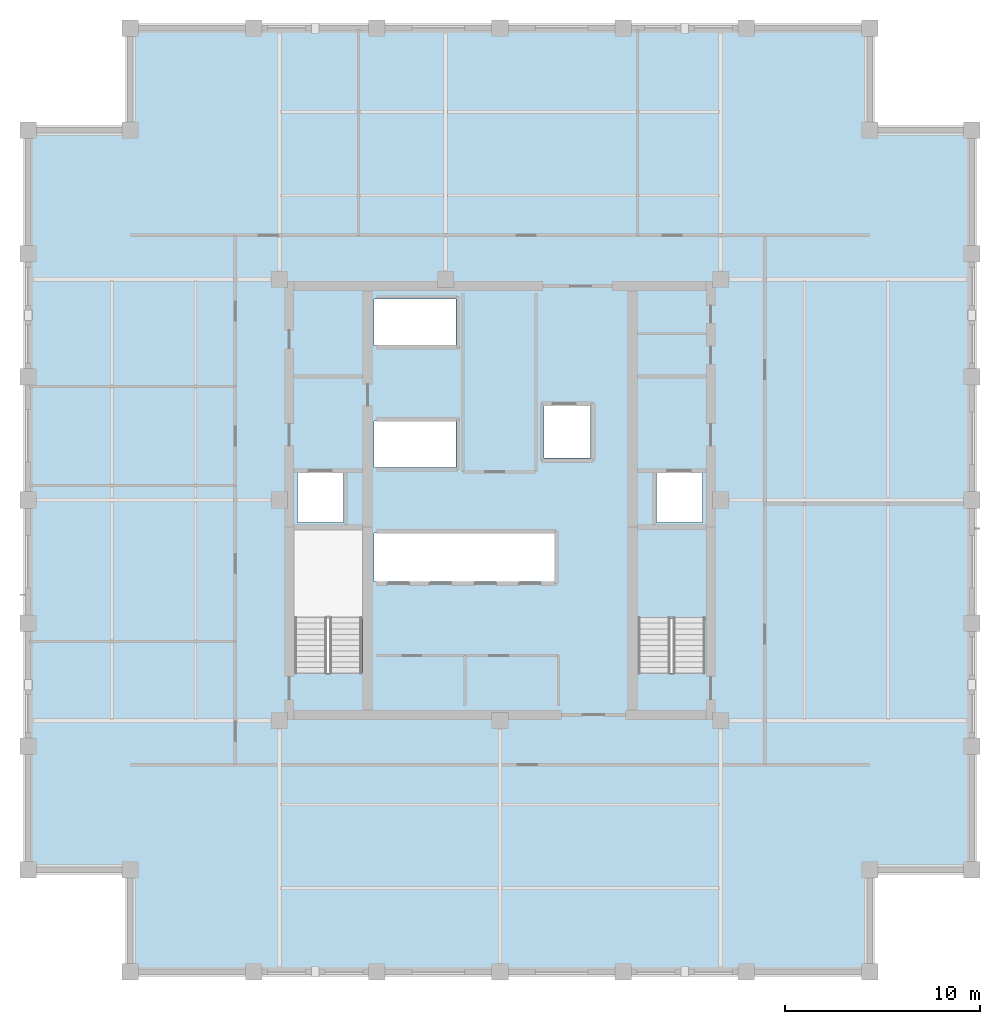
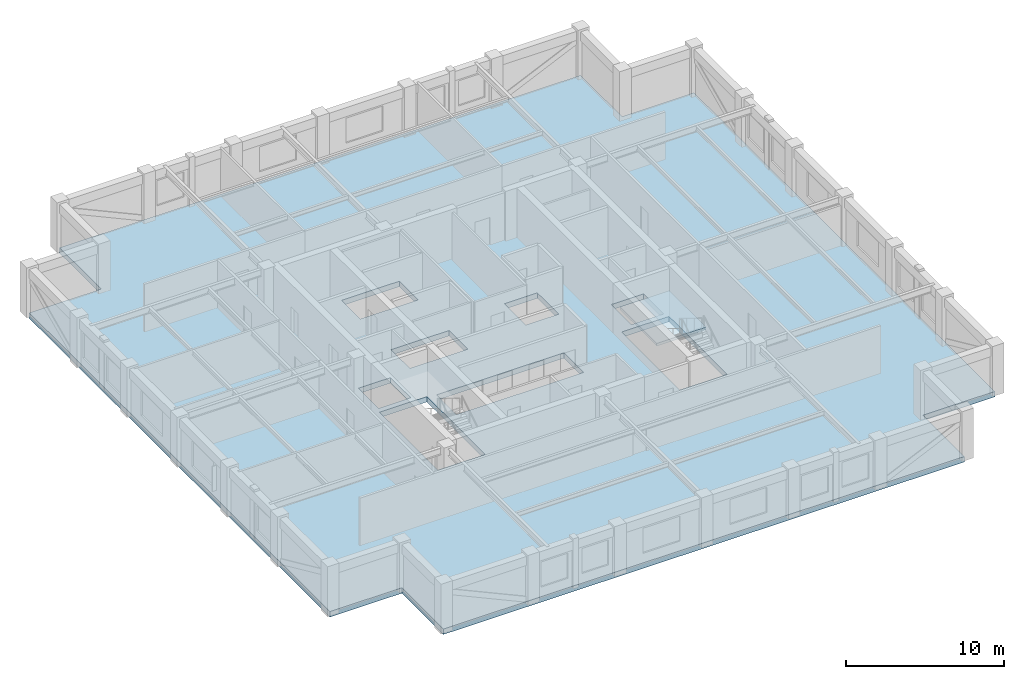
# One storey, part 3 of 9: 2 slabs, 1 element without a shape of its own.
"""IFC4 building model written with IfcOpenShell, lengths in metres."""

import ifcopenshell
import ifcopenshell.guid

model = None  # the IFC model being written
_history = None  # IfcOwnerHistory: only IFC2X3 demands one
_inside = {}  # id of a spatial element -> (the spatial element, [elements in it])
_under = {}  # id of a project, library or spatial element -> (it, [spatial elements below it])
_declared = {}  # id of a project -> (the project, [libraries it declares])
_typed = {}  # id of a type object -> (the type object, [elements of that type])
_made_of = {}  # id of a material, layer set ... -> (it, [elements and type objects made of it])


def new_model(schema):
    """Start an empty IFC model of exactly this schema.

    Asked for "IFC4X3", IfcOpenShell would pick the latest addendum, in which some entities
    have other attributes; the version numbers below select the first issue.
    IFC2X3 requires an IfcOwnerHistory on every rooted entity: one is made here for all.
    """
    global model, _history
    if schema == "IFC4X3":
        model = ifcopenshell.file(schema_version=(4, 3, 0, 0))
    else:
        model = ifcopenshell.file(schema=schema)
    _inside.clear()
    _under.clear()
    _declared.clear()
    _typed.clear()
    _made_of.clear()
    _history = None
    if model.schema == "IFC2X3":
        org = make("IfcOrganization", Name="unknown")
        user = make(
            "IfcPersonAndOrganization",
            ThePerson=make("IfcPerson", FamilyName="unknown"),
            TheOrganization=org,
        )
        app = make(
            "IfcApplication",
            ApplicationDeveloper=org,
            Version="unknown",
            ApplicationFullName="unknown",
            ApplicationIdentifier="unknown",
        )
        _history = make(
            "IfcOwnerHistory",
            OwningUser=user,
            OwningApplication=app,
            ChangeAction="ADDED",
            CreationDate=0,
        )
    return model


def make(cls, **values):
    """One entity of the class cls with the attributes given. An attribute that is None is left unset."""
    return model.create_entity(
        cls, **{name: value for name, value in values.items() if value is not None}
    )


def rooted(cls, **values):
    """An entity with a GlobalId (a new one), such as an element, a storey or a relation."""
    return make(cls, GlobalId=ifcopenshell.guid.new(), OwnerHistory=_history, **values)


def si_unit(unit_type, name, prefix=None):
    """IfcSIUnit, for example si_unit("LENGTHUNIT", "METRE", prefix="MILLI")."""
    return make("IfcSIUnit", UnitType=unit_type, Prefix=prefix, Name=name)


def assignment(units):
    """IfcUnitAssignment: the units of a project."""
    return None if units is None else make("IfcUnitAssignment", Units=units)


def point(xyz):
    """IfcCartesianPoint."""
    return None if xyz is None else make("IfcCartesianPoint", Coordinates=xyz)


def direction(xyz):
    """IfcDirection."""
    return None if xyz is None else make("IfcDirection", DirectionRatios=xyz)


def frame(location, z_axis=None, x_axis=None):
    """IfcAxis2Placement3D, a coordinate frame: its origin and axes. An axis left out is left unset."""
    return make(
        "IfcAxis2Placement3D",
        Location=point(location),
        Axis=direction(z_axis),
        RefDirection=direction(x_axis),
    )


def origin():
    """The frame at (0, 0, 0) with its axes left unset."""
    return frame((0.0, 0.0, 0.0))


def place(relative_to, where):
    """IfcLocalPlacement: puts the frame where relative to a parent placement (None: the world)."""
    return make(
        "IfcLocalPlacement", PlacementRelTo=relative_to, RelativePlacement=where
    )


def context(
    kind, dimensions, precision=None, world=None, true_north=None, identifier=None
):
    """IfcGeometricRepresentationContext, for example the 3D "Model" context."""
    return make(
        "IfcGeometricRepresentationContext",
        ContextIdentifier=identifier,
        ContextType=kind,
        CoordinateSpaceDimension=dimensions,
        Precision=precision,
        WorldCoordinateSystem=world,
        TrueNorth=true_north,
    )


def subcontext(parent, identifier, kind, view, scale=None):
    """IfcGeometricRepresentationSubContext, for example "Body" below "Model"."""
    return make(
        "IfcGeometricRepresentationSubContext",
        ContextIdentifier=identifier,
        ContextType=kind,
        ParentContext=parent,
        TargetScale=scale,
        TargetView=view,
    )


def project(units=None, contexts=None):
    """IfcProject with its units and contexts."""
    return rooted(
        "IfcProject",
        Name="project",
        RepresentationContexts=contexts,
        UnitsInContext=assignment(units),
    )


def spatial(cls, under=None, at=None, **own):
    """A site, building, storey or space (cls), placed at a placement, below another one or the project."""
    s = rooted(cls, ObjectPlacement=at, **own)
    if under is not None:
        _under.setdefault(under.id(), (under, []))[1].append(s)
    return s


def polyline(points):
    """IfcPolyline through the points."""
    return make("IfcPolyline", Points=[point(p) for p in points])


def outline(outer, holes=None, kind="AREA"):
    """IfcArbitraryClosedProfileDef: a profile drawn as a closed curve; with holes, ...WithVoids."""
    if holes is None:
        return make("IfcArbitraryClosedProfileDef", ProfileType=kind, OuterCurve=outer)
    return make(
        "IfcArbitraryProfileDefWithVoids",
        ProfileType=kind,
        OuterCurve=outer,
        InnerCurves=holes,
    )


def extrude(swept, where, along, depth):
    """IfcExtrudedAreaSolid: the profile swept, set in the frame where, extruded along a direction by depth."""
    return make(
        "IfcExtrudedAreaSolid",
        SweptArea=swept,
        Position=where,
        ExtrudedDirection=direction(along),
        Depth=depth,
    )


def shape(context_of_items, identifier, shape_type, items):
    """IfcShapeRepresentation: the items that make up one representation, for example the "Body"."""
    return make(
        "IfcShapeRepresentation",
        ContextOfItems=context_of_items,
        RepresentationIdentifier=identifier,
        RepresentationType=shape_type,
        Items=items,
    )


def material(Name=None, Category=None):
    """IfcMaterial."""
    return make("IfcMaterial", Name=Name, Category=Category)


def layer(
    of_material, thickness, ventilated=None, Name=None, Category=None, Priority=None
):
    """IfcMaterialLayer: one layer of a wall or slab, of a material (None: an air gap)."""
    return make(
        "IfcMaterialLayer",
        Material=of_material,
        LayerThickness=thickness,
        IsVentilated=ventilated,
        Name=Name,
        Category=Category,
        Priority=Priority,
    )


def layer_set(layers, Name=None):
    """IfcMaterialLayerSet."""
    return make("IfcMaterialLayerSet", MaterialLayers=layers, LayerSetName=Name)


def made_of(thing, what):
    """Note that an element or type object is made of a material, layer set ...; save() writes the relation."""
    if what is not None:
        _made_of.setdefault(what.id(), (what, []))[1].append(thing)
    return thing


def type_object(cls, material=None, **own):
    """A type object (cls), such as IfcWallType, which elements share."""
    return made_of(rooted(cls, **own), material)


def element(
    cls,
    number,
    at=None,
    inside=None,
    cuts=None,
    type_object=None,
    material=None,
    context=None,
    identifier="Body",
    shape_type=None,
    held_by="IfcProductDefinitionShape",
    body=None,
    shapes=None,
    **own,
):
    """One element of the class cls, such as IfcWall. Its Tag is "e" and its number.

    at: its placement. inside: the storey or other place that contains it. cuts: it is an
    opening in that element (IfcRelVoidsElement). A single representation is given by context,
    identifier, shape_type and body (its items); several are given by shapes. held_by: the class
    of the entity that holds the representations. save() writes the other relations.
    """
    e = rooted(cls, Tag="e%d" % number, ObjectPlacement=at, **own)
    if body is not None:
        shapes = [shape(context, identifier, shape_type, body)]
    if shapes is not None:
        e.Representation = make(held_by, Representations=shapes)
    if inside is not None:
        _inside.setdefault(inside.id(), (inside, []))[1].append(e)
    if cuts is not None:
        rooted(
            "IfcRelVoidsElement", RelatingBuildingElement=cuts, RelatedOpeningElement=e
        )
    if type_object is not None:
        _typed.setdefault(type_object.id(), (type_object, []))[1].append(e)
    return made_of(e, material)


def aggregate(whole, parts):
    """IfcRelAggregates: a whole, such as a stair, and the parts it consists of."""
    return rooted("IfcRelAggregates", RelatingObject=whole, RelatedObjects=parts)


def save(model, path):
    """Write the relations noted so far, then the file.

    IfcRelAggregates (storeys below a building ...), IfcRelContainedInSpatialStructure (elements
    in a storey), IfcRelDefinesByType, IfcRelAssociatesMaterial and IfcRelDeclares: one each for
    every whole, place, type object, material and project.
    """
    for whole, parts in _under.values():
        aggregate(whole, parts)
    for where, things in _inside.values():
        rooted(
            "IfcRelContainedInSpatialStructure",
            RelatedElements=things,
            RelatingStructure=where,
        )
    for kind, things in _typed.values():
        rooted("IfcRelDefinesByType", RelatedObjects=things, RelatingType=kind)
    for what, things in _made_of.values():
        rooted("IfcRelAssociatesMaterial", RelatedObjects=things, RelatingMaterial=what)
    for by, libraries in _declared.values():
        rooted("IfcRelDeclares", RelatingContext=by, RelatedDefinitions=libraries)
    model.write(path)


model = new_model("IFC4")

# Units and contexts
model_context = context("Model", 3, precision=1e-05, world=origin(), true_north=direction((0.0, 1.0)))
body_context = subcontext(model_context, "Body", "Model", "MODEL_VIEW")
ifc_project = project(units=[si_unit("LENGTHUNIT", "METRE"), si_unit("AREAUNIT", "SQUARE_METRE"), si_unit("VOLUMEUNIT", "CUBIC_METRE"), si_unit("PLANEANGLEUNIT", "RADIAN"), si_unit("MASSUNIT", "GRAM", prefix="KILO")], contexts=[model_context])

# Site, building, storey
site_placement = place(None, origin())
site = spatial("IfcSite", under=ifc_project, at=site_placement, CompositionType="ELEMENT")
building_placement = place(site_placement, origin())
building = spatial("IfcBuilding", under=site, at=building_placement, Name="Nhamokura Convention Tower", CompositionType="ELEMENT")
storey_placement = place(building_placement, frame((0.0, 0.0, 190.75)))
storey = spatial("IfcBuildingStorey", under=building, at=storey_placement, Name="L46", CompositionType="ELEMENT", Elevation=190.75)

# Stair, slab
ifc_material_1 = material(Name="Concrete C40/50", Category="concrete")
stair_type = type_object("IfcStairType", Name="TowerCoreStair_1650", PredefinedType="HALF_TURN_STAIR", material=ifc_material_1)
stair_placement = place(storey_placement, origin())
stair = element("IfcStair", 1, at=stair_placement, inside=storey, type_object=stair_type, Name="L46 East Core Smokeproof Stair ST-02", PredefinedType="HALF_TURN_STAIR")
ifc_material_2 = material(Name="Concrete C40/50", Category="concrete")
ifc_layer_1 = layer(ifc_material_2, 0.199951171875)
ifc_layer_set_1 = layer_set([ifc_layer_1], Name="StairLandingSlab_200")
slab_type_1 = type_object("IfcSlabType", Name="StairLandingSlab_200", PredefinedType="LANDING", material=ifc_layer_set_1)
slab_1_placement = place(storey_placement, frame((0.0, 0.0, 1.72509765625)))
slab_1 = element("IfcSlab", 2, at=slab_1_placement, type_object=slab_type_1, Name="ST-02 landing 1", PredefinedType="LANDING", context=body_context, shape_type="SweptSolid", body=[
    extrude(outline(polyline([(42.6298828125, 25.8701171875), (42.6298828125, 30.530029296875), (39.02001953125, 30.530029296875), (39.02001953125, 25.8701171875), (42.6298828125, 25.8701171875)])), origin(), (0.0, 0.0, 1.0), 0.199951171875),
])
aggregate(stair, [slab_1])

# Slab
ifc_material_3 = material(Name="Concrete C50/60", Category="concrete")
ifc_layer_2 = layer(ifc_material_3, 0.419921875)
ifc_layer_set_2 = layer_set([ifc_layer_2], Name="TransferDeckSlab_380")
slab_type_2 = type_object("IfcSlabType", Name="TransferDeckSlab_380", PredefinedType="FLOOR", material=ifc_layer_set_2)
slab_2_placement = place(storey_placement, frame((0.0, 0.0, -0.419921875)))
element("IfcSlab", 3, at=slab_2_placement, inside=storey, type_object=slab_type_2, Name="L46 Structural Floor Slab", PredefinedType="FLOOR", context=body_context, shape_type="SweptSolid", body=[
    extrude(outline(polyline([(13.0, 7.75), (51.0, 7.75), (51.0, 13.0), (56.25, 13.0), (56.25, 51.0), (51.0, 51.0), (51.0, 56.25), (13.0, 56.25), (13.0, 51.0), (7.75, 51.0), (7.75, 13.0), (13.0, 13.0), (13.0, 7.75)]), holes=[polyline([(24.89990234375, 23.10009765625), (24.89990234375, 30.449951171875), (21.449951171875, 30.449951171875), (21.449951171875, 23.10009765625), (24.89990234375, 23.10009765625)]), polyline([(42.550048828125, 23.10009765625), (42.550048828125, 30.449951171875), (39.10009765625, 30.449951171875), (39.10009765625, 23.10009765625), (42.550048828125, 23.10009765625)]), polyline([(21.60009765625, 30.85009765625), (23.949951171875, 30.85009765625), (23.949951171875, 33.39990234375), (21.60009765625, 33.39990234375), (21.60009765625, 30.85009765625)]), polyline([(40.050048828125, 30.85009765625), (42.39990234375, 30.85009765625), (42.39990234375, 33.39990234375), (40.050048828125, 33.39990234375), (40.050048828125, 30.85009765625)]), polyline([(34.25, 34.14990234375), (36.64990234375, 34.14990234375), (36.64990234375, 36.85009765625), (34.25, 36.85009765625), (34.25, 34.14990234375)]), polyline([(25.52001953125, 27.800048828125), (34.800048828125, 27.800048828125), (34.800048828125, 30.300048828125), (25.52001953125, 30.300048828125), (25.52001953125, 27.800048828125)]), polyline([(25.52001953125, 33.679931640625), (29.75, 33.679931640625), (29.75, 36.050048828125), (25.52001953125, 36.050048828125), (25.52001953125, 33.679931640625)]), polyline([(25.52001953125, 39.949951171875), (29.75, 39.949951171875), (29.75, 42.320068359375), (25.52001953125, 42.320068359375), (25.52001953125, 39.949951171875)])]), origin(), (0.0, 0.0, 1.0), 0.419921875),
])

save(model, "model.ifc")
